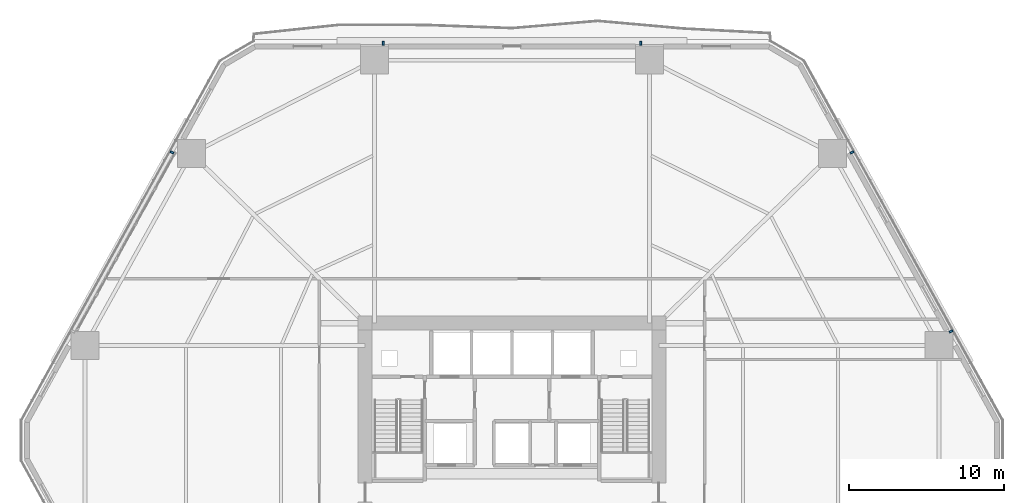
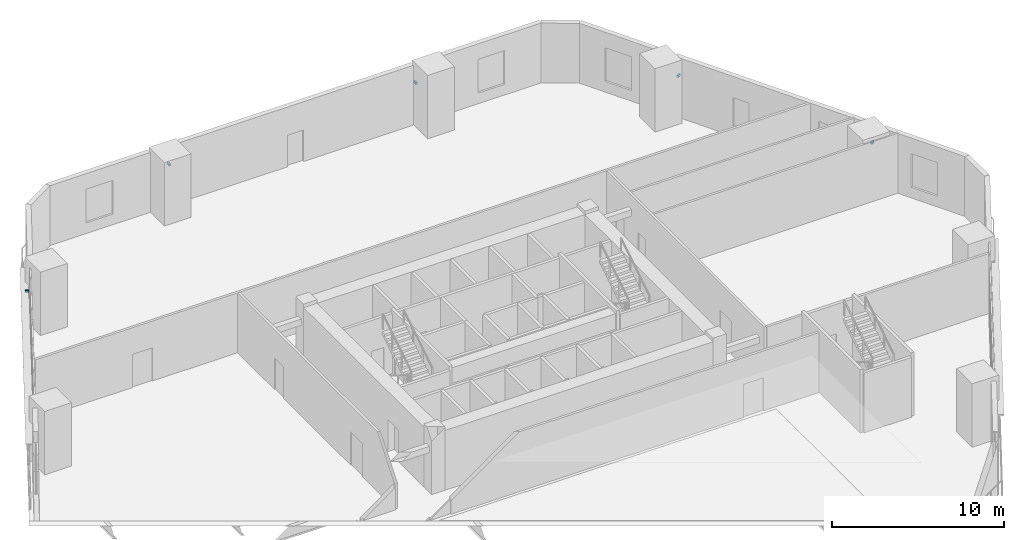
# One storey, part 14 of 21: 5 discrete accessories.
"""IFC4 building model written with IfcOpenShell, lengths in metres."""

from ifc_helpers import new_model, si_unit, direction, frame, origin, origin_2d, place, context, subcontext, project, spatial, rectangle, extrude, material, type_object, element, save


model = new_model("IFC4")

# Units and contexts
model_context = context("Model", 3, precision=1e-05, world=origin(), true_north=direction((0.0, 1.0)))
body_context = subcontext(model_context, "Body", "Model", "MODEL_VIEW")
ifc_project = project(units=[si_unit("LENGTHUNIT", "METRE"), si_unit("AREAUNIT", "SQUARE_METRE"), si_unit("VOLUMEUNIT", "CUBIC_METRE"), si_unit("PLANEANGLEUNIT", "RADIAN"), si_unit("MASSUNIT", "GRAM", prefix="KILO")], contexts=[model_context])

# Site, building, storey
site_placement = place(None, origin())
site = spatial("IfcSite", under=ifc_project, at=site_placement, CompositionType="ELEMENT")
building_placement = place(site_placement, origin())
building = spatial("IfcBuilding", under=site, at=building_placement, Name="Cinnabar Lancet Tower", CompositionType="ELEMENT")
storey_placement = place(building_placement, frame((0.0, 0.0, 6.0)))
storey = spatial("IfcBuildingStorey", under=building, at=storey_placement, Name="L01", CompositionType="ELEMENT", Elevation=6.0)

# Discrete accessories
ifc_material = material(Name="Stainless steel 316 facade fixing bracket", Category="steel")
discrete_accessory_type = type_object("IfcDiscreteAccessoryType", Name="ENV-ACC-BRK-180", PredefinedType="BRACKET", material=ifc_material)
for number, where, z_axis, x_axis, name in (
    (1, (60.658935546875, 32.819091796875, 2.60009765625), (0.0, 0.0, 1.0), (-0.483679606683, 0.87524513028, 0.0), "L01 Face 3 Sunshade Bracket A"),
    (2, (54.2919921875, 44.341064453125, 2.60009765625), (0.0, 0.0, 1.0), (-0.483679606683, 0.87524513028, 0.0), "L01 Face 3 Sunshade Bracket B"),
    (3, (40.68408203125, 51.3701171875, 2.60009765625), (0.0, 0.0, 1.0), (-1.0, 0.0, 0.0), "L01 Face 4 Sunshade Bracket A"),
    (4, (24.115966796875, 51.3701171875, 2.60009765625), (0.0, 0.0, 1.0), (-1.0, 0.0, 0.0), "L01 Face 4 Sunshade Bracket B"),
    (5, (10.508056640625, 44.341064453125, 2.60009765625), (0.0, 0.0, 1.0), (-0.483679606683, -0.87524513028, 0.0), "L01 Face 5 Sunshade Bracket A"),
):
    element("IfcDiscreteAccessory", number, at=place(storey_placement, frame(where, z_axis=z_axis, x_axis=x_axis)), inside=storey, type_object=discrete_accessory_type, Name=name, PredefinedType="BRACKET", context=body_context, shape_type="SweptSolid", body=[
        extrude(rectangle(XDim=0.1201171875, YDim=0.239990234375, at=origin_2d()), origin(), (0.0, 0.0, 1.0), 0.159912109375),
    ])

save(model, "model.ifc")
